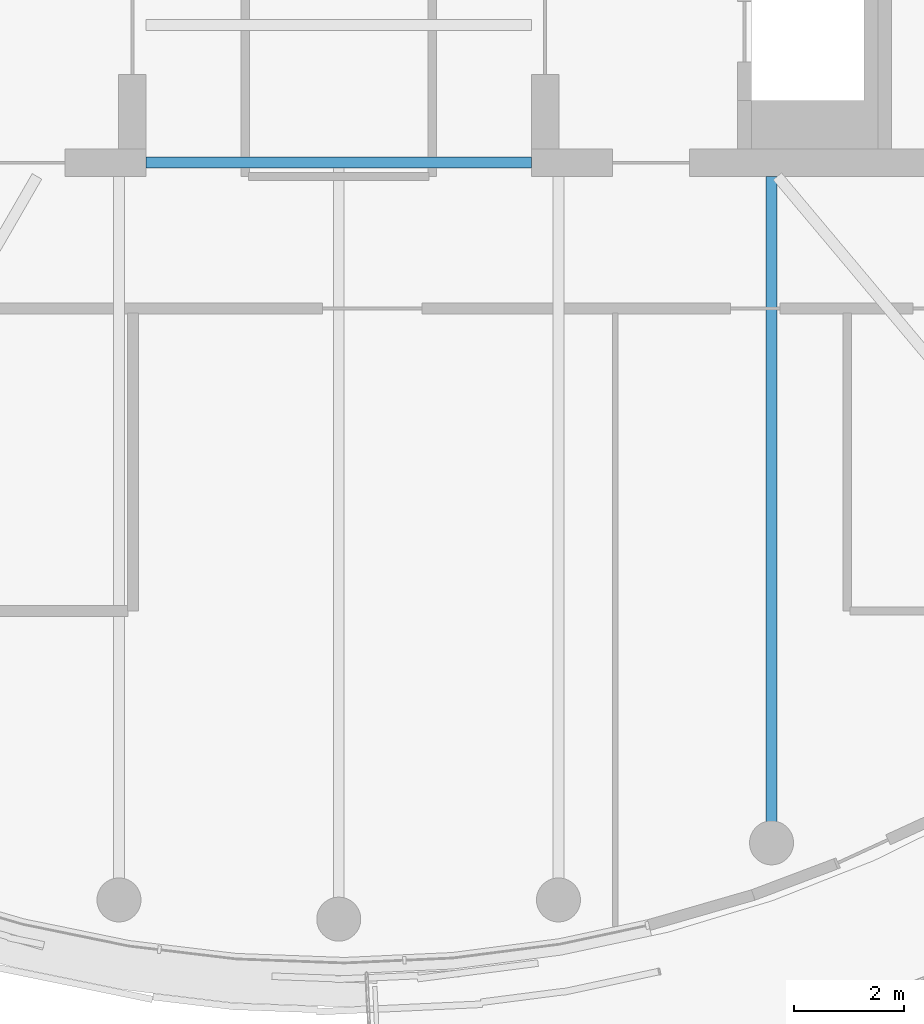
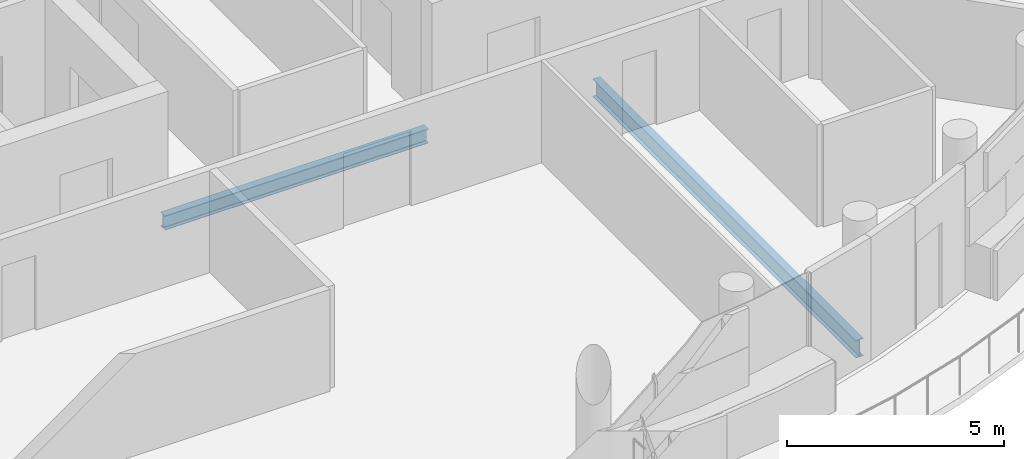
# One storey, part 3 of 21: 2 beams.
"""IFC4 building model written with IfcOpenShell, lengths in metres."""

from ifc_helpers import new_model, si_unit, direction, frame, origin, origin_2d, place, context, subcontext, project, spatial, i_section, extrude, material, material_profile, profile_set, type_object, element, save


model = new_model("IFC4")

# Units and contexts
model_context = context("Model", 3, precision=1e-05, world=origin(), true_north=direction((0.0, 1.0)))
body_context = subcontext(model_context, "Body", "Model", "MODEL_VIEW")
ifc_project = project(units=[si_unit("LENGTHUNIT", "METRE"), si_unit("AREAUNIT", "SQUARE_METRE"), si_unit("VOLUMEUNIT", "CUBIC_METRE"), si_unit("PLANEANGLEUNIT", "RADIAN"), si_unit("MASSUNIT", "GRAM", prefix="KILO")], contexts=[model_context])

# Site, building, storey
site_placement = place(None, origin())
site = spatial("IfcSite", under=ifc_project, at=site_placement, CompositionType="ELEMENT")
building_placement = place(site_placement, origin())
building = spatial("IfcBuilding", under=site, at=building_placement, Name="Tamarind Cross Interchange Tower", CompositionType="ELEMENT")
storey_placement = place(building_placement, frame((0.0, 0.0, 267.60009765625)))
storey = spatial("IfcBuildingStorey", under=building, at=storey_placement, Name="L68", CompositionType="ELEMENT", Elevation=267.60009765625)

# Beams
ifc_material = material(Name="Steel Q355B", Category="steel")
ifc_material_profile_1 = material_profile(ifc_material, i_section(OverallWidth=0.199951171875, OverallDepth=0.39990234375, WebThickness=0.008056640625, FlangeThickness=0.012939453125, FilletRadius=0.01611328125, at=origin_2d()), Name="HN 400x200x8x13")
ifc_profile_set_1 = profile_set([ifc_material_profile_1], Name="Steel Q355B")
beam_type_1 = type_object("IfcBeamType", Name="Composite beam HN 400x200x8x13 Q355B", PredefinedType="BEAM", material=ifc_profile_set_1)
beam_1_placement = place(storey_placement, frame((-3.5, -9.25, -0.340087890625), z_axis=(1.0, 0.0, 0.0), x_axis=(0.0, 1.0, 0.0)))
element("IfcBeam", 1, at=beam_1_placement, inside=storey, type_object=beam_type_1, Name="Beam G-9.25", PredefinedType="BEAM", context=body_context, shape_type="SweptSolid", body=[
    extrude(i_section(OverallWidth=0.199951171875, OverallDepth=0.39990234375, WebThickness=0.008056640625, FlangeThickness=0.012939453125, FilletRadius=0.01611328125, at=origin_2d()), origin(), (0.0, 0.0, 1.0), 7.0),
])
ifc_material_profile_2 = material_profile(ifc_material, i_section(OverallWidth=0.198974609375, OverallDepth=0.49609375, WebThickness=0.009033203125, FlangeThickness=0.013916015625, FilletRadius=0.012939453125, at=origin_2d()), Name="HN 496x199x9x14")
ifc_profile_set_2 = profile_set([ifc_material_profile_2], Name="Steel Q355B")
beam_type_2 = type_object("IfcBeamType", Name="Composite beam HN 496x199x9x14 Q355B", PredefinedType="BEAM", material=ifc_profile_set_2)
beam_2_placement = place(storey_placement, frame((7.866455078125, -21.613037109375, -0.38818359375), z_axis=(0.0, 1.0, 0.0), x_axis=(-1.0, 0.0, 0.0)))
element("IfcBeam", 2, at=beam_2_placement, inside=storey, type_object=beam_type_2, Name="Beam HH29", PredefinedType="BEAM", context=body_context, shape_type="SweptSolid", body=[
    extrude(i_section(OverallWidth=0.198974609375, OverallDepth=0.49609375, WebThickness=0.009033203125, FlangeThickness=0.013916015625, FilletRadius=0.012939453125, at=origin_2d()), origin(), (0.0, 0.0, 1.0), 12.113037109375),
])

save(model, "model.ifc")
